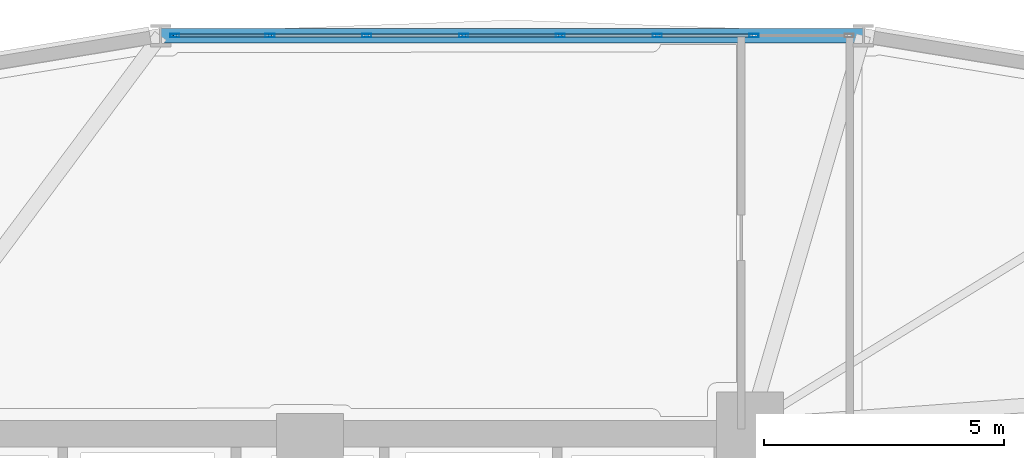
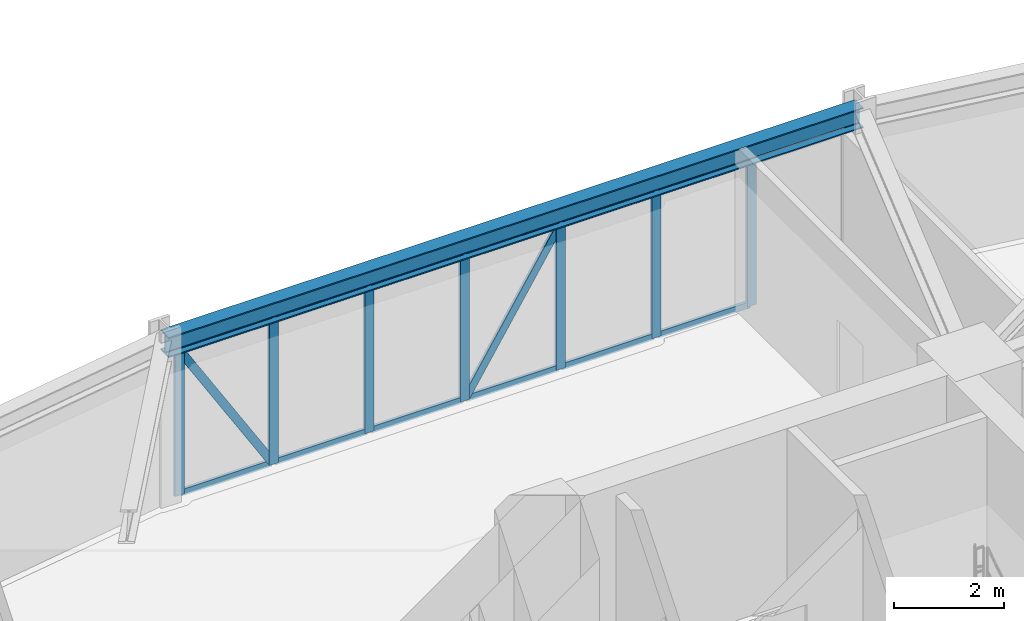
# One storey, part 10 of 20: 21 members, 1 beam, 1 element without a shape of its own.
"""IFC4 building model written with IfcOpenShell, lengths in metres."""

from ifc_helpers import new_model, si_unit, derived_unit, direction, frame, origin, origin_2d, place, context, subcontext, project, spatial, hollow_rectangle, i_section, extrude, source, transform, mapped, material, layer, layer_set, material_profile, profile_set, type_object, element, aggregate, save


model = new_model("IFC4")

# Units and contexts
model_context = context("Model", 3, precision=1e-05, world=origin(), true_north=direction((0.0, 1.0)))
body_context = subcontext(model_context, "Body", "Model", "MODEL_VIEW")
ifc_project = project(units=[si_unit("LENGTHUNIT", "METRE"), si_unit("AREAUNIT", "SQUARE_METRE"), si_unit("VOLUMEUNIT", "CUBIC_METRE"), si_unit("PLANEANGLEUNIT", "RADIAN"), si_unit("MASSUNIT", "GRAM", prefix="KILO"), derived_unit("THERMALTRANSMITTANCEUNIT", [(si_unit("POWERUNIT", "WATT"), 1), (si_unit("LENGTHUNIT", "METRE"), -2), (si_unit("THERMODYNAMICTEMPERATUREUNIT", "KELVIN"), -1)])], contexts=[model_context])

# Site, building, storey
site_placement = place(None, origin())
site = spatial("IfcSite", under=ifc_project, at=site_placement, CompositionType="ELEMENT")
building_placement = place(site_placement, origin())
building = spatial("IfcBuilding", under=site, at=building_placement, Name="Korsvarv Bourse and Concert Hall", CompositionType="ELEMENT")
storey_placement = place(building_placement, frame((0.0, 0.0, 87.300048828125)))
storey = spatial("IfcBuildingStorey", under=building, at=storey_placement, Name="L21", CompositionType="ELEMENT", Elevation=87.300048828125)

# Beam
ifc_material_1 = material(Name="Steel S355", Category="steel")
ifc_material_profile_1 = material_profile(ifc_material_1, i_section(OverallWidth=0.300048828125, OverallDepth=0.449951171875, WebThickness=0.013916015625, FlangeThickness=0.02587890625, FilletRadius=0.02099609375, at=origin_2d()), Name="HEB 450")
ifc_profile_set_1 = profile_set([ifc_material_profile_1], Name="Steel S355")
beam_type = type_object("IfcBeamType", Name="BM-HEB450", PredefinedType="SPANDREL", material=ifc_profile_set_1)
shared_shape_1 = source(origin(), body_context, "Body", "SweptSolid", [
    extrude(i_section(OverallWidth=0.300048828125, OverallDepth=0.449951171875, WebThickness=0.013916015625, FlangeThickness=0.02587890625, FilletRadius=0.02099609375, at=origin_2d()), origin(), (0.0, 0.0, 1.0), 14.617919921875),
])
beam_placement = place(storey_placement, frame((47.509033203125, 55.35791015625, 3.454833984375), z_axis=(-1.0, 0.0, 0.0), x_axis=(0.0, -1.0, 0.0)))
element("IfcBeam", 1, at=beam_placement, inside=storey, type_object=beam_type, Name="L21 beam B-08", PredefinedType="SPANDREL", context=body_context, shape_type="MappedRepresentation", body=[
    mapped(shared_shape_1, transform((0.0, 0.0, 0.0), scale=1.0)),
])

# Curtain wall, members
ifc_material_2 = material(Name="Anodised aluminium and triple low-E glazing", Category="glass")
ifc_layer = layer(ifc_material_2, 0.219970703125)
ifc_layer_set = layer_set([ifc_layer], Name="Anodised aluminium and triple low-E glazing")
curtain_wall_type = type_object("IfcCurtainWallType", Name="CW-SYS-1", PredefinedType="NOTDEFINED", material=ifc_layer_set)
curtain_wall_placement = place(storey_placement, origin())
curtain_wall = element("IfcCurtainWall", 2, at=curtain_wall_placement, inside=storey, type_object=curtain_wall_type, Name="L21 CW1 curtain wall CW-L21-F03", PredefinedType="NOTDEFINED")
ifc_material_3 = material(Name="Extruded aluminium EN AW-6063 T66", Category="aluminium")
ifc_material_profile_2 = material_profile(ifc_material_3, hollow_rectangle(XDim=0.070068359375, YDim=0.18994140625, WallThickness=0.0048828125, at=origin_2d()), Name="ALU-M 70x190")
ifc_profile_set_2 = profile_set([ifc_material_profile_2], Name="Extruded aluminium EN AW-6063 T66")
member_type_1 = type_object("IfcMemberType", Name="CWM-190", PredefinedType="MULLION", material=ifc_profile_set_2)
shared_shape_2 = source(origin(), body_context, "Body", "SweptSolid", [
    extrude(hollow_rectangle(XDim=0.070068359375, YDim=0.18994140625, WallThickness=0.0048828125, at=origin_2d()), origin(), (0.0, 0.0, 1.0), 3.22998046875),
])
member_1_placement = place(storey_placement, frame((45.233642578125, 55.35791015625, 0.0), z_axis=(0.0, 0.0, 1.0), x_axis=(0.0, -1.0, 0.0)))
member_1 = element("IfcMember", 3, at=member_1_placement, type_object=member_type_1, Name="CW1 mullion 2", PredefinedType="MULLION", context=body_context, shape_type="MappedRepresentation", body=[
    mapped(shared_shape_2, transform((0.0, 0.0, 0.0), scale=1.0)),
])
member_2_placement = place(storey_placement, frame((43.22021484375, 55.35791015625, 0.0), z_axis=(0.0, 0.0, 1.0), x_axis=(0.0, -1.0, 0.0)))
member_2 = element("IfcMember", 4, at=member_2_placement, type_object=member_type_1, Name="CW1 mullion 3", PredefinedType="MULLION", context=body_context, shape_type="MappedRepresentation", body=[
    mapped(shared_shape_2, transform((0.0, 0.0, 0.0), scale=1.0)),
])
member_3_placement = place(storey_placement, frame((41.206787109375, 55.35791015625, 0.0), z_axis=(0.0, 0.0, 1.0), x_axis=(0.0, -1.0, 0.0)))
member_3 = element("IfcMember", 5, at=member_3_placement, type_object=member_type_1, Name="CW1 mullion 4", PredefinedType="MULLION", context=body_context, shape_type="MappedRepresentation", body=[
    mapped(shared_shape_2, transform((0.0, 0.0, 0.0), scale=1.0)),
])
member_4_placement = place(storey_placement, frame((39.193359375, 55.35791015625, 0.0), z_axis=(0.0, 0.0, 1.0), x_axis=(0.0, -1.0, 0.0)))
member_4 = element("IfcMember", 6, at=member_4_placement, type_object=member_type_1, Name="CW1 mullion 5", PredefinedType="MULLION", context=body_context, shape_type="MappedRepresentation", body=[
    mapped(shared_shape_2, transform((0.0, 0.0, 0.0), scale=1.0)),
])
member_5_placement = place(storey_placement, frame((37.179931640625, 55.35791015625, 0.0), z_axis=(0.0, 0.0, 1.0), x_axis=(0.0, -1.0, 0.0)))
member_5 = element("IfcMember", 7, at=member_5_placement, type_object=member_type_1, Name="CW1 mullion 6", PredefinedType="MULLION", context=body_context, shape_type="MappedRepresentation", body=[
    mapped(shared_shape_2, transform((0.0, 0.0, 0.0), scale=1.0)),
])
member_6_placement = place(storey_placement, frame((35.16650390625, 55.35791015625, 0.0), z_axis=(0.0, 0.0, 1.0), x_axis=(0.0, -1.0, 0.0)))
member_6 = element("IfcMember", 8, at=member_6_placement, type_object=member_type_1, Name="CW1 mullion 7", PredefinedType="MULLION", context=body_context, shape_type="MappedRepresentation", body=[
    mapped(shared_shape_2, transform((0.0, 0.0, 0.0), scale=1.0)),
])
member_7_placement = place(storey_placement, frame((33.18798828125, 55.35791015625, 0.0), z_axis=(0.0, 0.0, 1.0), x_axis=(0.0, -1.0, 0.0)))
member_7 = element("IfcMember", 9, at=member_7_placement, type_object=member_type_1, Name="CW1 mullion 8", PredefinedType="MULLION", context=body_context, shape_type="MappedRepresentation", body=[
    mapped(shared_shape_2, transform((0.0, 0.0, 0.0), scale=1.0)),
])
ifc_material_profile_3 = material_profile(ifc_material_3, hollow_rectangle(XDim=0.06494140625, YDim=0.139892578125, WallThickness=0.00390625, at=origin_2d()), Name="ALU-T 65x140")
ifc_profile_set_3 = profile_set([ifc_material_profile_3], Name="Extruded aluminium EN AW-6063 T66")
member_type_2 = type_object("IfcMemberType", Name="CWT-140", PredefinedType="USERDEFINED", material=ifc_profile_set_3)
shared_shape_3 = source(origin(), body_context, "Body", "SweptSolid", [
    extrude(hollow_rectangle(XDim=0.06494140625, YDim=0.139892578125, WallThickness=0.00390625, at=origin_2d()), origin(), (0.0, 0.0, 1.0), 1.908447265625),
])
member_8_placement = place(storey_placement, frame((35.13134765625, 55.35791015625, 0.032470703125), z_axis=(-1.0, 0.0, 0.0), x_axis=(0.0, -1.0, 0.0)))
member_8 = element("IfcMember", 10, at=member_8_placement, type_object=member_type_2, Name="CW1 transom 7.1", ObjectType="TRANSOM", PredefinedType="USERDEFINED", context=body_context, shape_type="MappedRepresentation", body=[
    mapped(shared_shape_3, transform((0.0, 0.0, 0.0), scale=1.0)),
])
member_9_placement = place(storey_placement, frame((35.13134765625, 55.35791015625, 3.197509765625), z_axis=(-1.0, 0.0, 0.0), x_axis=(0.0, -1.0, 0.0)))
member_9 = element("IfcMember", 11, at=member_9_placement, type_object=member_type_2, Name="CW1 transom 7.2", ObjectType="TRANSOM", PredefinedType="USERDEFINED", context=body_context, shape_type="MappedRepresentation", body=[
    mapped(shared_shape_3, transform((0.0, 0.0, 0.0), scale=1.0)),
])
ifc_material_profile_4 = material_profile(ifc_material_3, hollow_rectangle(XDim=0.06494140625, YDim=0.1650390625, WallThickness=0.0048828125, at=origin_2d()), Name="ALU-M 65x165")
ifc_profile_set_4 = profile_set([ifc_material_profile_4], Name="Extruded aluminium EN AW-6063 T66")
member_type_3 = type_object("IfcMemberType", Name="CWM-165", PredefinedType="MULLION", material=ifc_profile_set_4)
shared_shape_4 = source(origin(), body_context, "Body", "SweptSolid", [
    extrude(hollow_rectangle(XDim=0.06494140625, YDim=0.1650390625, WallThickness=0.0048828125, at=origin_2d()), origin(), (0.0, 0.0, 1.0), 3.640380859375),
])
member_10_placement = place(storey_placement, frame((35.13134765625, 55.35791015625, 0.06494140625), z_axis=(-0.52423586326, 0.0, 0.851573108824), x_axis=(0.0, -1.0, 0.0)))
member_10 = element("IfcMember", 12, at=member_10_placement, type_object=member_type_3, Name="CW1 diagonal mullion 7", PredefinedType="MULLION", context=body_context, shape_type="MappedRepresentation", body=[
    mapped(shared_shape_4, transform((0.0, 0.0, 0.0), scale=1.0)),
])
shared_shape_5 = source(origin(), body_context, "Body", "SweptSolid", [
    extrude(hollow_rectangle(XDim=0.06494140625, YDim=0.139892578125, WallThickness=0.00390625, at=origin_2d()), origin(), (0.0, 0.0, 1.0), 1.943359375),
])
member_11_placement = place(storey_placement, frame((45.198486328125, 55.35791015625, 0.032470703125), z_axis=(-1.0, 0.0, 0.0), x_axis=(0.0, -1.0, 0.0)))
member_11 = element("IfcMember", 13, at=member_11_placement, type_object=member_type_2, Name="CW1 transom 2.1", ObjectType="TRANSOM", PredefinedType="USERDEFINED", context=body_context, shape_type="MappedRepresentation", body=[
    mapped(shared_shape_5, transform((0.0, 0.0, 0.0), scale=1.0)),
])
member_12_placement = place(storey_placement, frame((45.198486328125, 55.35791015625, 3.197509765625), z_axis=(-1.0, 0.0, 0.0), x_axis=(0.0, -1.0, 0.0)))
member_12 = element("IfcMember", 14, at=member_12_placement, type_object=member_type_2, Name="CW1 transom 2.2", ObjectType="TRANSOM", PredefinedType="USERDEFINED", context=body_context, shape_type="MappedRepresentation", body=[
    mapped(shared_shape_5, transform((0.0, 0.0, 0.0), scale=1.0)),
])
member_13_placement = place(storey_placement, frame((43.18505859375, 55.35791015625, 0.032470703125), z_axis=(-1.0, 0.0, 0.0), x_axis=(0.0, -1.0, 0.0)))
member_13 = element("IfcMember", 15, at=member_13_placement, type_object=member_type_2, Name="CW1 transom 3.1", ObjectType="TRANSOM", PredefinedType="USERDEFINED", context=body_context, shape_type="MappedRepresentation", body=[
    mapped(shared_shape_5, transform((0.0, 0.0, 0.0), scale=1.0)),
])
member_14_placement = place(storey_placement, frame((43.18505859375, 55.35791015625, 3.197509765625), z_axis=(-1.0, 0.0, 0.0), x_axis=(0.0, -1.0, 0.0)))
member_14 = element("IfcMember", 16, at=member_14_placement, type_object=member_type_2, Name="CW1 transom 3.2", ObjectType="TRANSOM", PredefinedType="USERDEFINED", context=body_context, shape_type="MappedRepresentation", body=[
    mapped(shared_shape_5, transform((0.0, 0.0, 0.0), scale=1.0)),
])
member_15_placement = place(storey_placement, frame((41.171630859375, 55.35791015625, 0.032470703125), z_axis=(-1.0, 0.0, 0.0), x_axis=(0.0, -1.0, 0.0)))
member_15 = element("IfcMember", 17, at=member_15_placement, type_object=member_type_2, Name="CW1 transom 4.1", ObjectType="TRANSOM", PredefinedType="USERDEFINED", context=body_context, shape_type="MappedRepresentation", body=[
    mapped(shared_shape_5, transform((0.0, 0.0, 0.0), scale=1.0)),
])
member_16_placement = place(storey_placement, frame((41.171630859375, 55.35791015625, 3.197509765625), z_axis=(-1.0, 0.0, 0.0), x_axis=(0.0, -1.0, 0.0)))
member_16 = element("IfcMember", 18, at=member_16_placement, type_object=member_type_2, Name="CW1 transom 4.2", ObjectType="TRANSOM", PredefinedType="USERDEFINED", context=body_context, shape_type="MappedRepresentation", body=[
    mapped(shared_shape_5, transform((0.0, 0.0, 0.0), scale=1.0)),
])
member_17_placement = place(storey_placement, frame((39.158203125, 55.35791015625, 0.032470703125), z_axis=(-1.0, 0.0, 0.0), x_axis=(0.0, -1.0, 0.0)))
member_17 = element("IfcMember", 19, at=member_17_placement, type_object=member_type_2, Name="CW1 transom 5.1", ObjectType="TRANSOM", PredefinedType="USERDEFINED", context=body_context, shape_type="MappedRepresentation", body=[
    mapped(shared_shape_5, transform((0.0, 0.0, 0.0), scale=1.0)),
])
member_18_placement = place(storey_placement, frame((39.158203125, 55.35791015625, 3.197509765625), z_axis=(-1.0, 0.0, 0.0), x_axis=(0.0, -1.0, 0.0)))
member_18 = element("IfcMember", 20, at=member_18_placement, type_object=member_type_2, Name="CW1 transom 5.2", ObjectType="TRANSOM", PredefinedType="USERDEFINED", context=body_context, shape_type="MappedRepresentation", body=[
    mapped(shared_shape_5, transform((0.0, 0.0, 0.0), scale=1.0)),
])
member_19_placement = place(storey_placement, frame((37.144775390625, 55.35791015625, 0.032470703125), z_axis=(-1.0, 0.0, 0.0), x_axis=(0.0, -1.0, 0.0)))
member_19 = element("IfcMember", 21, at=member_19_placement, type_object=member_type_2, Name="CW1 transom 6.1", ObjectType="TRANSOM", PredefinedType="USERDEFINED", context=body_context, shape_type="MappedRepresentation", body=[
    mapped(shared_shape_5, transform((0.0, 0.0, 0.0), scale=1.0)),
])
member_20_placement = place(storey_placement, frame((37.144775390625, 55.35791015625, 3.197509765625), z_axis=(-1.0, 0.0, 0.0), x_axis=(0.0, -1.0, 0.0)))
member_20 = element("IfcMember", 22, at=member_20_placement, type_object=member_type_2, Name="CW1 transom 6.2", ObjectType="TRANSOM", PredefinedType="USERDEFINED", context=body_context, shape_type="MappedRepresentation", body=[
    mapped(shared_shape_5, transform((0.0, 0.0, 0.0), scale=1.0)),
])
shared_shape_6 = source(origin(), body_context, "Body", "SweptSolid", [
    extrude(hollow_rectangle(XDim=0.06494140625, YDim=0.1650390625, WallThickness=0.0048828125, at=origin_2d()), origin(), (0.0, 0.0, 1.0), 3.658935546875),
])
member_21_placement = place(storey_placement, frame((39.228271484375, 55.35791015625, 0.06494140625), z_axis=(0.531138049586, 0.0, 0.847285295684), x_axis=(0.0, 1.0, 0.0)))
member_21 = element("IfcMember", 23, at=member_21_placement, type_object=member_type_3, Name="CW1 diagonal mullion 4", PredefinedType="MULLION", context=body_context, shape_type="MappedRepresentation", body=[
    mapped(shared_shape_6, transform((0.0, 0.0, 0.0), scale=1.0)),
])
aggregate(curtain_wall, [member_1, member_2, member_3, member_4, member_5, member_6, member_7, member_11, member_12, member_13, member_14, member_15, member_16, member_21, member_17, member_18, member_19, member_20, member_8, member_9, member_10])

save(model, "model.ifc")
